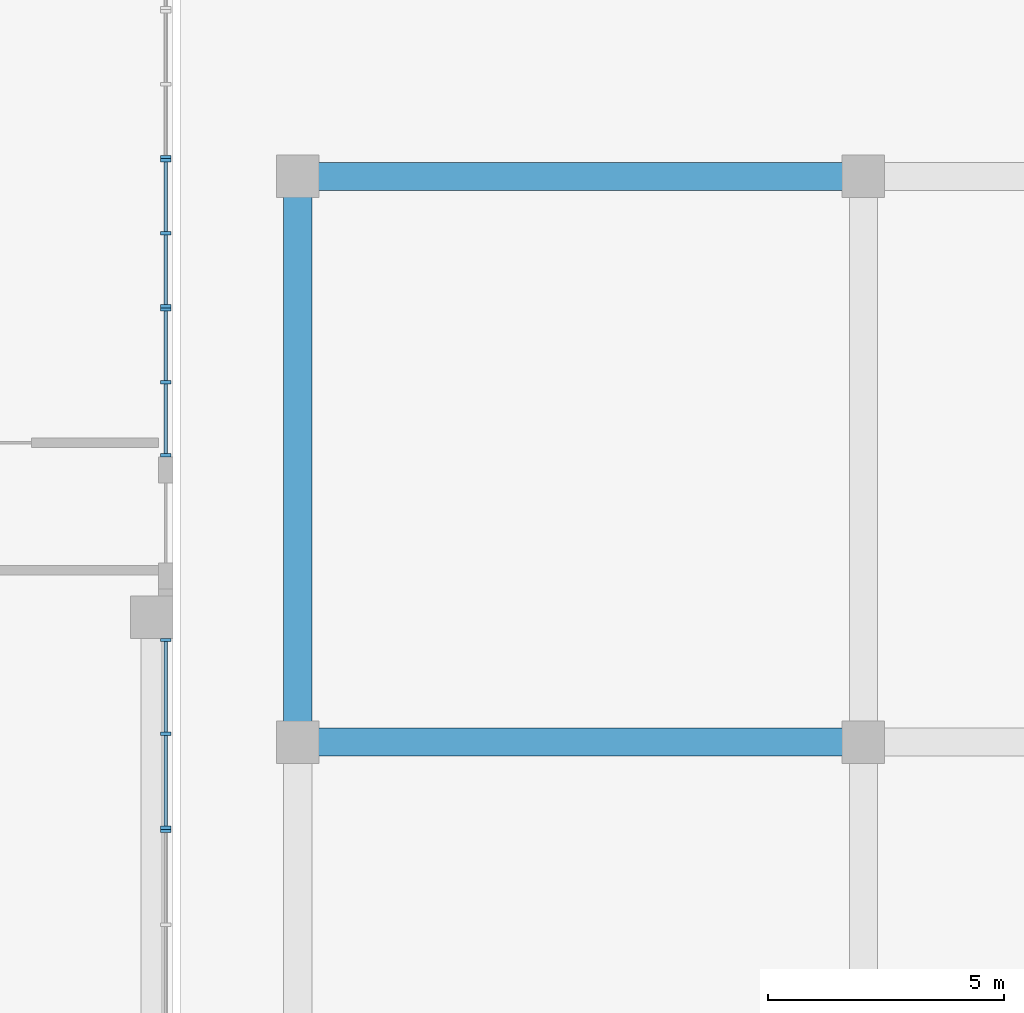
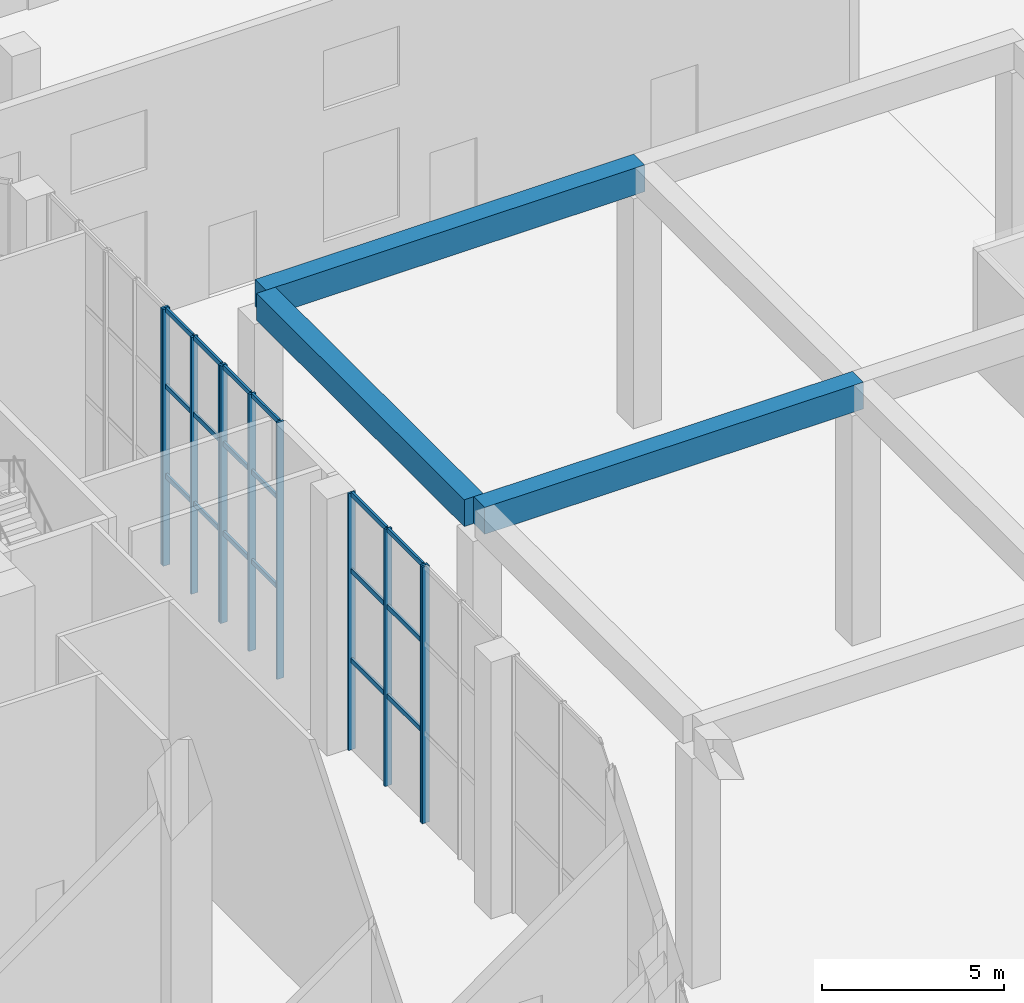
# One storey, part 11 of 43: 29 members, 3 beams, 5 elements without a shape of their own.
"""IFC4 building model written with IfcOpenShell, lengths in metres."""

from ifc_helpers import new_model, si_unit, direction, frame, origin, origin_2d, place, context, subcontext, project, spatial, rectangle, extrude, source, transform, mapped, material, material_profile, profile_set, type_object, element, aggregate, save


model = new_model("IFC4")

# Units and contexts
model_context = context("Model", 3, precision=1e-05, world=origin(), true_north=direction((0.0, 1.0)))
body_context = subcontext(model_context, "Body", "Model", "MODEL_VIEW")
ifc_project = project(units=[si_unit("LENGTHUNIT", "METRE"), si_unit("AREAUNIT", "SQUARE_METRE"), si_unit("VOLUMEUNIT", "CUBIC_METRE"), si_unit("PLANEANGLEUNIT", "RADIAN"), si_unit("MASSUNIT", "GRAM", prefix="KILO")], contexts=[model_context])

# Site, building, storey
site_placement = place(None, origin())
site = spatial("IfcSite", under=ifc_project, at=site_placement, CompositionType="ELEMENT")
building_placement = place(site_placement, origin())
building = spatial("IfcBuilding", under=site, at=building_placement, Name="Kilnfold Tower and Market Hall", CompositionType="ELEMENT")
storey_placement = place(building_placement, origin())
storey = spatial("IfcBuildingStorey", under=building, at=storey_placement, Name="L00", CompositionType="ELEMENT", Elevation=0.0)

# Beams
ifc_material_1 = material(Name="Concrete C40/50", Category="concrete")
ifc_material_profile_1 = material_profile(ifc_material_1, rectangle(XDim=0.60009765625, YDim=0.89990234375, at=origin_2d()), Name="RC 600x900")
ifc_profile_set_1 = profile_set([ifc_material_profile_1], Name="Concrete C40/50")
beam_type = type_object("IfcBeamType", Name="DECK GIRDER 600X900", PredefinedType="BEAM", material=ifc_profile_set_1)
shared_shape_1 = source(origin(), body_context, "Body", "SweptSolid", [
    extrude(rectangle(XDim=0.60009765625, YDim=0.89990234375, at=origin_2d()), origin(), (0.0, 0.0, 1.0), 12.0),
])
for number, where, z_axis, x_axis, name in (
    (1, (30.64990234375, 5.35009765625, 8.14990234375), (1.0, 0.0, 0.0), (0.0, 1.0, 0.0), "Deck girder DG1-17"),
    (2, (30.64990234375, 17.35009765625, 8.14990234375), (1.0, 0.0, 0.0), (0.0, 1.0, 0.0), "Deck girder DG1-19"),
):
    element("IfcBeam", number, at=place(storey_placement, frame(where, z_axis=z_axis, x_axis=x_axis)), inside=storey, type_object=beam_type, Name=name, PredefinedType="BEAM", context=body_context, shape_type="MappedRepresentation", body=[
        mapped(shared_shape_1, transform((0.0, 0.0, 0.0))),
    ])
shared_shape_2 = source(origin(), body_context, "Body", "SweptSolid", [
    extrude(rectangle(XDim=0.60009765625, YDim=0.89990234375, at=origin_2d()), origin(), (0.0, 0.0, 1.0), 11.400146484375),
])
beam_placement = place(storey_placement, frame((30.64990234375, 5.64990234375, 8.14990234375), z_axis=(0.0, 1.0, 0.0), x_axis=(-1.0, 0.0, 0.0)))
element("IfcBeam", 3, at=beam_placement, inside=storey, type_object=beam_type, Name="Deck girder DG1-29", PredefinedType="BEAM", context=body_context, shape_type="MappedRepresentation", body=[
    mapped(shared_shape_2, transform((0.0, 0.0, 0.0))),
])

# Curtain wall, member
ifc_material_2 = material(Name="Aluminium and double glazing", Category="aluminium")
curtain_wall_type = type_object("IfcCurtainWallType", Name="CW BASE PODIUM GLAZING", PredefinedType="NOTDEFINED", material=ifc_material_2)
curtain_wall_1_placement = place(storey_placement, origin())
curtain_wall_1 = element("IfcCurtainWall", 4, at=curtain_wall_1_placement, inside=storey, type_object=curtain_wall_type, Name="Curtain wall CW4 L00 E", PredefinedType="NOTDEFINED")
ifc_material_3 = material(Name="Aluminium", Category="aluminium")
ifc_material_profile_2 = material_profile(ifc_material_3, rectangle(XDim=0.070068359375, YDim=0.219970703125, at=origin_2d()), Name="MULLION 70x220")
ifc_profile_set_2 = profile_set([ifc_material_profile_2], Name="Aluminium")
member_type_1 = type_object("IfcMemberType", Name="MULLION 70X220", PredefinedType="MULLION", material=ifc_profile_set_2)
shared_shape_3 = source(origin(), body_context, "Body", "SweptSolid", [
    extrude(rectangle(XDim=0.070068359375, YDim=0.219970703125, at=origin_2d()), origin(), (0.0, 0.0, 1.0), 8.60009765625),
])
member_1_placement = place(storey_placement, frame((27.85009765625, 3.465087890625, 0.0), z_axis=(0.0, 0.0, 1.0), x_axis=(0.0, 1.0, 0.0)))
member_1 = element("IfcMember", 5, at=member_1_placement, type_object=member_type_1, Name="CW4 mullion 3", PredefinedType="MULLION", context=body_context, shape_type="MappedRepresentation", body=[
    mapped(shared_shape_3, transform((0.0, 0.0, 0.0))),
])
aggregate(curtain_wall_1, [member_1])

# Curtain wall, members
curtain_wall_2_placement = place(storey_placement, origin())
curtain_wall_2 = element("IfcCurtainWall", 6, at=curtain_wall_2_placement, inside=storey, type_object=curtain_wall_type, Name="Curtain wall CW4 L00 E", PredefinedType="NOTDEFINED")
member_2_placement = place(storey_placement, frame((27.85009765625, 3.534912109375, 0.0), z_axis=(0.0, 0.0, 1.0), x_axis=(0.0, 1.0, 0.0)))
member_2 = element("IfcMember", 7, at=member_2_placement, type_object=member_type_1, Name="CW4 mullion 1", PredefinedType="MULLION", context=body_context, shape_type="MappedRepresentation", body=[
    mapped(shared_shape_3, transform((0.0, 0.0, 0.0))),
])
member_3_placement = place(storey_placement, frame((27.85009765625, 5.52490234375, 0.0), z_axis=(0.0, 0.0, 1.0), x_axis=(0.0, 1.0, 0.0)))
member_3 = element("IfcMember", 8, at=member_3_placement, type_object=member_type_1, Name="CW4 mullion 2", PredefinedType="MULLION", context=body_context, shape_type="MappedRepresentation", body=[
    mapped(shared_shape_3, transform((0.0, 0.0, 0.0))),
])
member_4_placement = place(storey_placement, frame((27.85009765625, 7.514892578125, 0.0), z_axis=(0.0, 0.0, 1.0), x_axis=(0.0, 1.0, 0.0)))
member_4 = element("IfcMember", 9, at=member_4_placement, type_object=member_type_1, Name="CW4 mullion 3", PredefinedType="MULLION", context=body_context, shape_type="MappedRepresentation", body=[
    mapped(shared_shape_3, transform((0.0, 0.0, 0.0))),
])

curtain_wall_3_placement = place(storey_placement, origin())
curtain_wall_3 = element("IfcCurtainWall", 10, at=curtain_wall_3_placement, inside=storey, type_object=curtain_wall_type, Name="Curtain wall CW4 L00 E", PredefinedType="NOTDEFINED")
member_5_placement = place(storey_placement, frame((27.85009765625, 11.43505859375, 0.0), z_axis=(0.0, 0.0, 1.0), x_axis=(0.0, 1.0, 0.0)))
member_5 = element("IfcMember", 11, at=member_5_placement, type_object=member_type_1, Name="CW4 mullion 1", PredefinedType="MULLION", context=body_context, shape_type="MappedRepresentation", body=[
    mapped(shared_shape_3, transform((0.0, 0.0, 0.0))),
])
member_6_placement = place(storey_placement, frame((27.85009765625, 12.981201171875, 0.0), z_axis=(0.0, 0.0, 1.0), x_axis=(0.0, 1.0, 0.0)))
member_6 = element("IfcMember", 12, at=member_6_placement, type_object=member_type_1, Name="CW4 mullion 2", PredefinedType="MULLION", context=body_context, shape_type="MappedRepresentation", body=[
    mapped(shared_shape_3, transform((0.0, 0.0, 0.0))),
])
member_7_placement = place(storey_placement, frame((27.85009765625, 14.527587890625, 0.0), z_axis=(0.0, 0.0, 1.0), x_axis=(0.0, 1.0, 0.0)))
member_7 = element("IfcMember", 13, at=member_7_placement, type_object=member_type_1, Name="CW4 mullion 3", PredefinedType="MULLION", context=body_context, shape_type="MappedRepresentation", body=[
    mapped(shared_shape_3, transform((0.0, 0.0, 0.0))),
])

curtain_wall_4_placement = place(storey_placement, origin())
curtain_wall_4 = element("IfcCurtainWall", 14, at=curtain_wall_4_placement, inside=storey, type_object=curtain_wall_type, Name="Curtain wall CW4 L00 E", PredefinedType="NOTDEFINED")
member_8_placement = place(storey_placement, frame((27.85009765625, 14.597412109375, 0.0), z_axis=(0.0, 0.0, 1.0), x_axis=(0.0, 1.0, 0.0)))
member_8 = element("IfcMember", 15, at=member_8_placement, type_object=member_type_1, Name="CW4 mullion 1", PredefinedType="MULLION", context=body_context, shape_type="MappedRepresentation", body=[
    mapped(shared_shape_3, transform((0.0, 0.0, 0.0))),
])
member_9_placement = place(storey_placement, frame((27.85009765625, 16.143798828125, 0.0), z_axis=(0.0, 0.0, 1.0), x_axis=(0.0, 1.0, 0.0)))
member_9 = element("IfcMember", 16, at=member_9_placement, type_object=member_type_1, Name="CW4 mullion 2", PredefinedType="MULLION", context=body_context, shape_type="MappedRepresentation", body=[
    mapped(shared_shape_3, transform((0.0, 0.0, 0.0))),
])
member_10_placement = place(storey_placement, frame((27.85009765625, 17.68994140625, 0.0), z_axis=(0.0, 0.0, 1.0), x_axis=(0.0, 1.0, 0.0)))
member_10 = element("IfcMember", 17, at=member_10_placement, type_object=member_type_1, Name="CW4 mullion 3", PredefinedType="MULLION", context=body_context, shape_type="MappedRepresentation", body=[
    mapped(shared_shape_3, transform((0.0, 0.0, 0.0))),
])

# Curtain wall, member
curtain_wall_5_placement = place(storey_placement, origin())
curtain_wall_5 = element("IfcCurtainWall", 18, at=curtain_wall_5_placement, inside=storey, type_object=curtain_wall_type, Name="Curtain wall CW4 L00 E", PredefinedType="NOTDEFINED")
member_11_placement = place(storey_placement, frame((27.85009765625, 17.760009765625, 0.0), z_axis=(0.0, 0.0, 1.0), x_axis=(0.0, 1.0, 0.0)))
member_11 = element("IfcMember", 19, at=member_11_placement, type_object=member_type_1, Name="CW4 mullion 1", PredefinedType="MULLION", context=body_context, shape_type="MappedRepresentation", body=[
    mapped(shared_shape_3, transform((0.0, 0.0, 0.0))),
])
aggregate(curtain_wall_5, [member_11])

# Member
ifc_material_4 = material(Name="Aluminium", Category="aluminium")
ifc_material_profile_3 = material_profile(ifc_material_4, rectangle(XDim=0.070068359375, YDim=0.159912109375, at=origin_2d()), Name="TRANSOM 70x160")
ifc_profile_set_3 = profile_set([ifc_material_profile_3], Name="Aluminium")
member_type_2 = type_object("IfcMemberType", Name="TRANSOM 70X160", PredefinedType="USERDEFINED", material=ifc_profile_set_3)
shared_shape_4 = source(origin(), body_context, "Body", "SweptSolid", [
    extrude(rectangle(XDim=0.070068359375, YDim=0.159912109375, at=origin_2d()), origin(), (0.0, 0.0, 1.0), 1.919921875),
])
member_12_placement = place(storey_placement, frame((27.85009765625, 3.570068359375, 3.0), z_axis=(0.0, 1.0, 0.0), x_axis=(-1.0, 0.0, 0.0)))
member_12 = element("IfcMember", 20, at=member_12_placement, type_object=member_type_2, Name="CW4 transom 1.2", ObjectType="TRANSOM", PredefinedType="USERDEFINED", context=body_context, shape_type="MappedRepresentation", body=[
    mapped(shared_shape_4, transform((0.0, 0.0, 0.0))),
])

member_13_placement = place(storey_placement, frame((27.85009765625, 3.570068359375, 6.0), z_axis=(0.0, 1.0, 0.0), x_axis=(-1.0, 0.0, 0.0)))
member_13 = element("IfcMember", 21, at=member_13_placement, type_object=member_type_2, Name="CW4 transom 1.3", ObjectType="TRANSOM", PredefinedType="USERDEFINED", context=body_context, shape_type="MappedRepresentation", body=[
    mapped(shared_shape_4, transform((0.0, 0.0, 0.0))),
])

member_14_placement = place(storey_placement, frame((27.85009765625, 3.570068359375, 8.56494140625), z_axis=(0.0, 1.0, 0.0), x_axis=(-1.0, 0.0, 0.0)))
member_14 = element("IfcMember", 22, at=member_14_placement, type_object=member_type_2, Name="CW4 transom 1.4", ObjectType="TRANSOM", PredefinedType="USERDEFINED", context=body_context, shape_type="MappedRepresentation", body=[
    mapped(shared_shape_4, transform((0.0, 0.0, 0.0))),
])

member_15_placement = place(storey_placement, frame((27.85009765625, 5.56005859375, 3.0), z_axis=(0.0, 1.0, 0.0), x_axis=(-1.0, 0.0, 0.0)))
member_15 = element("IfcMember", 23, at=member_15_placement, type_object=member_type_2, Name="CW4 transom 2.2", ObjectType="TRANSOM", PredefinedType="USERDEFINED", context=body_context, shape_type="MappedRepresentation", body=[
    mapped(shared_shape_4, transform((0.0, 0.0, 0.0))),
])

member_16_placement = place(storey_placement, frame((27.85009765625, 5.56005859375, 6.0), z_axis=(0.0, 1.0, 0.0), x_axis=(-1.0, 0.0, 0.0)))
member_16 = element("IfcMember", 24, at=member_16_placement, type_object=member_type_2, Name="CW4 transom 2.3", ObjectType="TRANSOM", PredefinedType="USERDEFINED", context=body_context, shape_type="MappedRepresentation", body=[
    mapped(shared_shape_4, transform((0.0, 0.0, 0.0))),
])

member_17_placement = place(storey_placement, frame((27.85009765625, 5.56005859375, 8.56494140625), z_axis=(0.0, 1.0, 0.0), x_axis=(-1.0, 0.0, 0.0)))
member_17 = element("IfcMember", 25, at=member_17_placement, type_object=member_type_2, Name="CW4 transom 2.4", ObjectType="TRANSOM", PredefinedType="USERDEFINED", context=body_context, shape_type="MappedRepresentation", body=[
    mapped(shared_shape_4, transform((0.0, 0.0, 0.0))),
])

aggregate(curtain_wall_2, [member_2, member_3, member_4, member_12, member_13, member_14, member_15, member_16, member_17])

shared_shape_5 = source(origin(), body_context, "Body", "SweptSolid", [
    extrude(rectangle(XDim=0.070068359375, YDim=0.159912109375, at=origin_2d()), origin(), (0.0, 0.0, 1.0), 1.476318359375),
])
member_18_placement = place(storey_placement, frame((27.85009765625, 11.469970703125, 3.0), z_axis=(0.0, 1.0, 0.0), x_axis=(-1.0, 0.0, 0.0)))
member_18 = element("IfcMember", 26, at=member_18_placement, type_object=member_type_2, Name="CW4 transom 1.2", ObjectType="TRANSOM", PredefinedType="USERDEFINED", context=body_context, shape_type="MappedRepresentation", body=[
    mapped(shared_shape_5, transform((0.0, 0.0, 0.0))),
])

member_19_placement = place(storey_placement, frame((27.85009765625, 11.469970703125, 6.0), z_axis=(0.0, 1.0, 0.0), x_axis=(-1.0, 0.0, 0.0)))
member_19 = element("IfcMember", 27, at=member_19_placement, type_object=member_type_2, Name="CW4 transom 1.3", ObjectType="TRANSOM", PredefinedType="USERDEFINED", context=body_context, shape_type="MappedRepresentation", body=[
    mapped(shared_shape_5, transform((0.0, 0.0, 0.0))),
])

member_20_placement = place(storey_placement, frame((27.85009765625, 11.469970703125, 8.56494140625), z_axis=(0.0, 1.0, 0.0), x_axis=(-1.0, 0.0, 0.0)))
member_20 = element("IfcMember", 28, at=member_20_placement, type_object=member_type_2, Name="CW4 transom 1.4", ObjectType="TRANSOM", PredefinedType="USERDEFINED", context=body_context, shape_type="MappedRepresentation", body=[
    mapped(shared_shape_5, transform((0.0, 0.0, 0.0))),
])

member_21_placement = place(storey_placement, frame((27.85009765625, 16.1787109375, 3.0), z_axis=(0.0, 1.0, 0.0), x_axis=(-1.0, 0.0, 0.0)))
member_21 = element("IfcMember", 29, at=member_21_placement, type_object=member_type_2, Name="CW4 transom 2.2", ObjectType="TRANSOM", PredefinedType="USERDEFINED", context=body_context, shape_type="MappedRepresentation", body=[
    mapped(shared_shape_5, transform((0.0, 0.0, 0.0))),
])

member_22_placement = place(storey_placement, frame((27.85009765625, 16.1787109375, 6.0), z_axis=(0.0, 1.0, 0.0), x_axis=(-1.0, 0.0, 0.0)))
member_22 = element("IfcMember", 30, at=member_22_placement, type_object=member_type_2, Name="CW4 transom 2.3", ObjectType="TRANSOM", PredefinedType="USERDEFINED", context=body_context, shape_type="MappedRepresentation", body=[
    mapped(shared_shape_5, transform((0.0, 0.0, 0.0))),
])

member_23_placement = place(storey_placement, frame((27.85009765625, 16.1787109375, 8.56494140625), z_axis=(0.0, 1.0, 0.0), x_axis=(-1.0, 0.0, 0.0)))
member_23 = element("IfcMember", 31, at=member_23_placement, type_object=member_type_2, Name="CW4 transom 2.4", ObjectType="TRANSOM", PredefinedType="USERDEFINED", context=body_context, shape_type="MappedRepresentation", body=[
    mapped(shared_shape_5, transform((0.0, 0.0, 0.0))),
])

shared_shape_6 = source(origin(), body_context, "Body", "SweptSolid", [
    extrude(rectangle(XDim=0.070068359375, YDim=0.159912109375, at=origin_2d()), origin(), (0.0, 0.0, 1.0), 1.47607421875),
])
member_24_placement = place(storey_placement, frame((27.85009765625, 13.016357421875, 3.0), z_axis=(0.0, 1.0, 0.0), x_axis=(-1.0, 0.0, 0.0)))
member_24 = element("IfcMember", 32, at=member_24_placement, type_object=member_type_2, Name="CW4 transom 2.2", ObjectType="TRANSOM", PredefinedType="USERDEFINED", context=body_context, shape_type="MappedRepresentation", body=[
    mapped(shared_shape_6, transform((0.0, 0.0, 0.0))),
])

member_25_placement = place(storey_placement, frame((27.85009765625, 13.016357421875, 6.0), z_axis=(0.0, 1.0, 0.0), x_axis=(-1.0, 0.0, 0.0)))
member_25 = element("IfcMember", 33, at=member_25_placement, type_object=member_type_2, Name="CW4 transom 2.3", ObjectType="TRANSOM", PredefinedType="USERDEFINED", context=body_context, shape_type="MappedRepresentation", body=[
    mapped(shared_shape_6, transform((0.0, 0.0, 0.0))),
])

member_26_placement = place(storey_placement, frame((27.85009765625, 13.016357421875, 8.56494140625), z_axis=(0.0, 1.0, 0.0), x_axis=(-1.0, 0.0, 0.0)))
member_26 = element("IfcMember", 34, at=member_26_placement, type_object=member_type_2, Name="CW4 transom 2.4", ObjectType="TRANSOM", PredefinedType="USERDEFINED", context=body_context, shape_type="MappedRepresentation", body=[
    mapped(shared_shape_6, transform((0.0, 0.0, 0.0))),
])

aggregate(curtain_wall_3, [member_5, member_6, member_7, member_18, member_19, member_20, member_24, member_25, member_26])

member_27_placement = place(storey_placement, frame((27.85009765625, 14.632568359375, 3.0), z_axis=(0.0, 1.0, 0.0), x_axis=(-1.0, 0.0, 0.0)))
member_27 = element("IfcMember", 35, at=member_27_placement, type_object=member_type_2, Name="CW4 transom 1.2", ObjectType="TRANSOM", PredefinedType="USERDEFINED", context=body_context, shape_type="MappedRepresentation", body=[
    mapped(shared_shape_6, transform((0.0, 0.0, 0.0))),
])

member_28_placement = place(storey_placement, frame((27.85009765625, 14.632568359375, 6.0), z_axis=(0.0, 1.0, 0.0), x_axis=(-1.0, 0.0, 0.0)))
member_28 = element("IfcMember", 36, at=member_28_placement, type_object=member_type_2, Name="CW4 transom 1.3", ObjectType="TRANSOM", PredefinedType="USERDEFINED", context=body_context, shape_type="MappedRepresentation", body=[
    mapped(shared_shape_6, transform((0.0, 0.0, 0.0))),
])

member_29_placement = place(storey_placement, frame((27.85009765625, 14.632568359375, 8.56494140625), z_axis=(0.0, 1.0, 0.0), x_axis=(-1.0, 0.0, 0.0)))
member_29 = element("IfcMember", 37, at=member_29_placement, type_object=member_type_2, Name="CW4 transom 1.4", ObjectType="TRANSOM", PredefinedType="USERDEFINED", context=body_context, shape_type="MappedRepresentation", body=[
    mapped(shared_shape_6, transform((0.0, 0.0, 0.0))),
])

aggregate(curtain_wall_4, [member_8, member_9, member_10, member_27, member_28, member_29, member_21, member_22, member_23])

save(model, "model.ifc")
